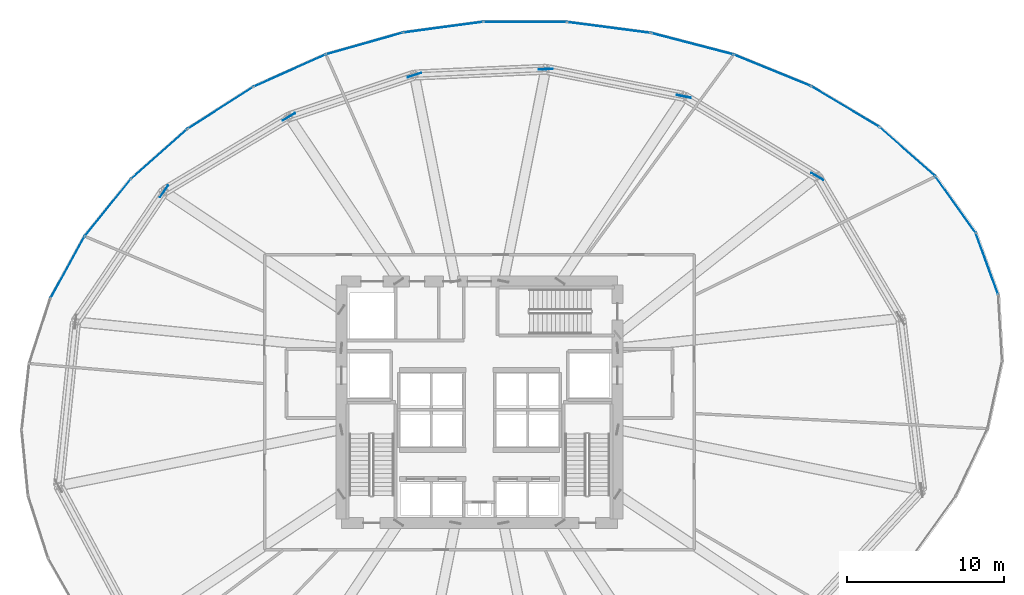
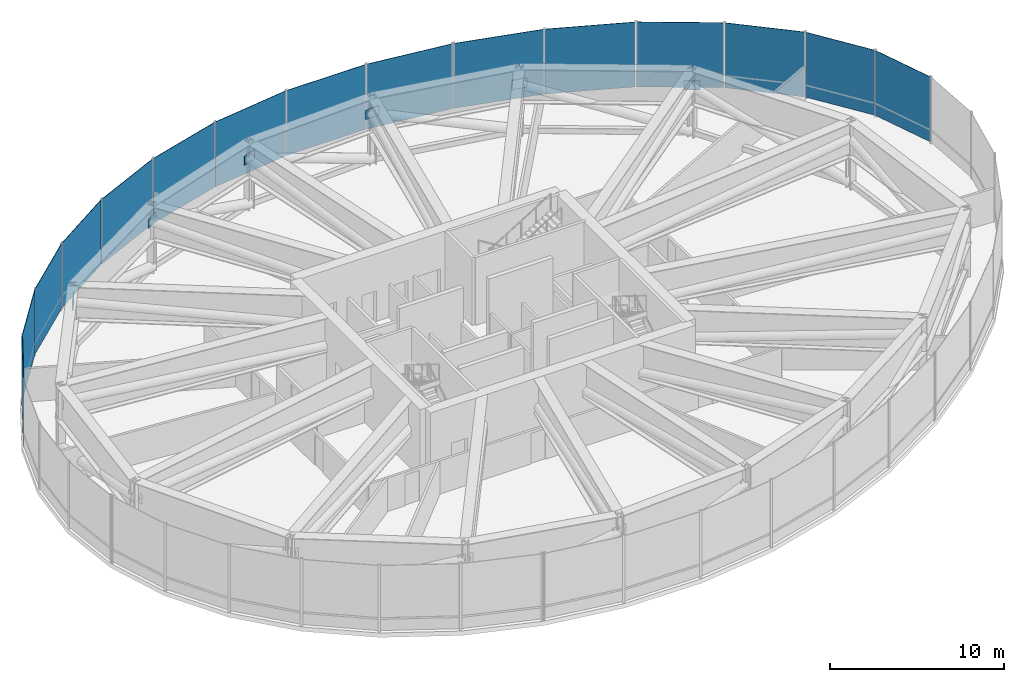
# One storey, part 29 of 33: 21 plates, 3 elements without a shape of their own.
"""IFC4 building model written with IfcOpenShell, lengths in metres."""

from ifc_helpers import new_model, si_unit, direction, frame, origin, origin_2d, place, context, subcontext, project, spatial, rectangle, extrude, source, transform, mapped, material, layer, layer_set, type_object, element, aggregate, save


model = new_model("IFC4")

# Units and contexts
model_context = context("Model", 3, precision=1e-05, world=origin(), true_north=direction((0.0, 1.0)))
body_context = subcontext(model_context, "Body", "Model", "MODEL_VIEW")
ifc_project = project(units=[si_unit("LENGTHUNIT", "METRE"), si_unit("AREAUNIT", "SQUARE_METRE"), si_unit("VOLUMEUNIT", "CUBIC_METRE"), si_unit("PLANEANGLEUNIT", "RADIAN"), si_unit("MASSUNIT", "GRAM", prefix="KILO"), si_unit("THERMODYNAMICTEMPERATUREUNIT", "KELVIN")], contexts=[model_context])

# Site, building, storey
site_placement = place(None, origin())
site = spatial("IfcSite", under=ifc_project, at=site_placement, CompositionType="ELEMENT")
building_placement = place(site_placement, origin())
building = spatial("IfcBuilding", under=site, at=building_placement, Name="Kethvar Cultural Tower", CompositionType="ELEMENT")
storey_placement = place(building_placement, frame((0.0, 0.0, 80.39990234375)))
storey = spatial("IfcBuildingStorey", under=building, at=storey_placement, Name="L19", CompositionType="ELEMENT", Elevation=80.39990234375)

# Plates
ifc_material_1 = material(Name="Steel S460M", Category="steel")
ifc_layer_1 = layer(ifc_material_1, 0.0400390625, Name="Steel S460M", Category="steel")
ifc_layer_set_1 = layer_set([ifc_layer_1], Name="Steel S460M (40 mm)")
plate_type_1 = type_object("IfcPlateType", Name="PL-GUSSET-900", PredefinedType="USERDEFINED", material=ifc_layer_set_1)
shared_shape_1 = source(origin(), body_context, "Body", "SweptSolid", [
    extrude(rectangle(XDim=0.89990234375, YDim=0.0400390625, at=origin_2d()), origin(), (0.0, 0.0, 1.0), 0.64990234375),
])
for number, where, z_axis, x_axis, name in (
    (1, (68.33642578125, 42.190185546875, 3.233154296875), (0.0, 0.0, 1.0), (-0.857654700694, 0.514226034326, 0.0), "L19 Belt-Truss Node Gusset Plate GP-02"),
    (2, (59.824951171875, 47.293212890625, 3.233154296875), (0.0, 0.0, 1.0), (-0.98117794575, 0.193105770949, 0.0), "L19 Belt-Truss Node Gusset Plate GP-03"),
    (3, (51.022216796875, 49.02587890625, 3.233154296875), (0.0, 0.0, 1.0), (-0.999024506376, -0.044159208108, 0.0), "L19 Belt-Truss Node Gusset Plate GP-04"),
    (4, (42.651611328125, 48.65576171875, 3.233154296875), (0.0, 0.0, 1.0), (-0.948768594019, -0.315971762985, 0.0), "L19 Belt-Truss Node Gusset Plate GP-05"),
    (5, (34.64599609375, 45.98974609375, 3.233154296875), (0.0, 0.0, 1.0), (-0.858815008826, -0.512285838781, 0.0), "L19 Belt-Truss Node Gusset Plate GP-06"),
    (6, (26.6845703125, 41.24072265625, 3.233154296875), (0.0, 0.0, 1.0), (-0.56103626866, -0.827791220809, 0.0), "L19 Belt-Truss Node Gusset Plate GP-07"),
):
    element("IfcPlate", number, at=place(storey_placement, frame(where, z_axis=z_axis, x_axis=x_axis)), inside=storey, type_object=plate_type_1, Name=name, ObjectType="GUSSET_PLATE", PredefinedType="USERDEFINED", context=body_context, shape_type="MappedRepresentation", body=[
        mapped(shared_shape_1, transform((0.0, 0.0, 0.0), scale=1.0)),
    ])

# Curtain wall, plates
ifc_material_2 = material(Name="Aluminium 6063-T6", Category="aluminium")
ifc_layer_2 = layer(ifc_material_2, 0.179931640625, Name="Aluminium 6063-T6", Category="aluminium")
ifc_layer_set_2 = layer_set([ifc_layer_2], Name="Aluminium 6063-T6 (180 mm)")
curtain_wall_type = type_object("IfcCurtainWallType", Name="CW-SYS-02-Z1", PredefinedType="NOTDEFINED", material=ifc_layer_set_2)
curtain_wall_1_placement = place(storey_placement, origin())
curtain_wall_1 = element("IfcCurtainWall", 7, at=curtain_wall_1_placement, inside=storey, type_object=curtain_wall_type, Name="L19 Curtain Wall Run 01", PredefinedType="NOTDEFINED")
ifc_material_3 = material(Name="Insulated Low-E Solar Glass", Category="glass")
ifc_layer_3 = layer(ifc_material_3, 0.031982421875, Name="Insulated Low-E Solar Glass", Category="glass")
ifc_layer_set_3 = layer_set([ifc_layer_3], Name="Insulated Low-E Solar Glass (32 mm)")
plate_type_2 = type_object("IfcPlateType", Name="CW-SYS-02-Z1-PNL", PredefinedType="CURTAIN_PANEL", material=ifc_layer_set_3)
shared_shape_2 = source(origin(), body_context, "Body", "SweptSolid", [
    extrude(rectangle(XDim=4.1494140625, YDim=0.031982421875, at=origin_2d()), origin(), (0.0, 0.0, 1.0), 4.56005859375),
])
plate_1_placement = place(storey_placement, frame((79.15087890625, 36.625732421875, 0.10009765625), z_axis=(0.0, 0.0, 1.0), x_axis=(-0.342200545053, 0.939626940315, 0.0)))
plate_1 = element("IfcPlate", 8, at=plate_1_placement, type_object=plate_type_2, Name="CW-L19-R01 Vision Glazing Panel 1", PredefinedType="CURTAIN_PANEL", context=body_context, shape_type="MappedRepresentation", body=[
    mapped(shared_shape_2, transform((0.0, 0.0, 0.0), scale=1.0)),
])
shared_shape_3 = source(origin(), body_context, "Body", "SweptSolid", [
    extrude(rectangle(XDim=4.357177734375, YDim=0.031982421875, at=origin_2d()), origin(), (0.0, 0.0, 1.0), 4.56005859375),
])
plate_2_placement = place(storey_placement, frame((77.146484375, 40.401123046875, 0.10009765625), z_axis=(0.0, 0.0, 1.0), x_axis=(-0.581299577483, 0.813689622165, 0.0)))
plate_2 = element("IfcPlate", 9, at=plate_2_placement, type_object=plate_type_2, Name="CW-L19-R01 Vision Glazing Panel 2", PredefinedType="CURTAIN_PANEL", context=body_context, shape_type="MappedRepresentation", body=[
    mapped(shared_shape_3, transform((0.0, 0.0, 0.0), scale=1.0)),
])
shared_shape_4 = source(origin(), body_context, "Body", "SweptSolid", [
    extrude(rectangle(XDim=4.682861328125, YDim=0.031982421875, at=origin_2d()), origin(), (0.0, 0.0, 1.0), 4.56005859375),
])
plate_3_placement = place(storey_placement, frame((74.07958984375, 43.77099609375, 0.10009765625), z_axis=(0.0, 0.0, 1.0), x_axis=(-0.750134153312, 0.661285681105, 0.0)))
plate_3 = element("IfcPlate", 10, at=plate_3_placement, type_object=plate_type_2, Name="CW-L19-R01 Vision Glazing Panel 3", PredefinedType="CURTAIN_PANEL", context=body_context, shape_type="MappedRepresentation", body=[
    mapped(shared_shape_4, transform((0.0, 0.0, 0.0), scale=1.0)),
])
shared_shape_5 = source(origin(), body_context, "Body", "SweptSolid", [
    extrude(rectangle(XDim=5.010986328125, YDim=0.031982421875, at=origin_2d()), origin(), (0.0, 0.0, 1.0), 4.56005859375),
])
plate_4_placement = place(storey_placement, frame((70.114990234375, 46.646484375, 0.10009765625), z_axis=(0.0, 0.0, 1.0), x_axis=(-0.858441120551, 0.512912119712, 0.0)))
plate_4 = element("IfcPlate", 11, at=plate_4_placement, type_object=plate_type_2, Name="CW-L19-R01 Vision Glazing Panel 4", PredefinedType="CURTAIN_PANEL", context=body_context, shape_type="MappedRepresentation", body=[
    mapped(shared_shape_5, transform((0.0, 0.0, 0.0), scale=1.0)),
])
shared_shape_6 = source(origin(), body_context, "Body", "SweptSolid", [
    extrude(rectangle(XDim=5.251953125, YDim=0.031982421875, at=origin_2d()), origin(), (0.0, 0.0, 1.0), 4.56005859375),
])
plate_5_placement = place(storey_placement, frame((65.46533203125, 48.95654296875, 0.10009765625), z_axis=(0.0, 0.0, 1.0), x_axis=(-0.925982651672, 0.377566058858, 0.0)))
plate_5 = element("IfcPlate", 12, at=plate_5_placement, type_object=plate_type_2, Name="CW-L19-R01 Vision Glazing Panel 5", PredefinedType="CURTAIN_PANEL", context=body_context, shape_type="MappedRepresentation", body=[
    mapped(shared_shape_6, transform((0.0, 0.0, 0.0), scale=1.0)),
])
shared_shape_7 = source(origin(), body_context, "Body", "SweptSolid", [
    extrude(rectangle(XDim=5.3623046875, YDim=0.031982421875, at=origin_2d()), origin(), (0.0, 0.0, 1.0), 4.56005859375),
])
plate_6_placement = place(storey_placement, frame((60.365478515625, 50.6484375, 0.10009765625), z_axis=(0.0, 0.0, 1.0), x_axis=(-0.967709170482, 0.252069358243, 0.0)))
plate_6 = element("IfcPlate", 13, at=plate_6_placement, type_object=plate_type_2, Name="CW-L19-R01 Vision Glazing Panel 6", PredefinedType="CURTAIN_PANEL", context=body_context, shape_type="MappedRepresentation", body=[
    mapped(shared_shape_7, transform((0.0, 0.0, 0.0), scale=1.0)),
])
aggregate(curtain_wall_1, [plate_1, plate_2, plate_3, plate_4, plate_5, plate_6])

curtain_wall_2_placement = place(storey_placement, origin())
curtain_wall_2 = element("IfcCurtainWall", 14, at=curtain_wall_2_placement, inside=storey, type_object=curtain_wall_type, Name="L19 Curtain Wall Run 02", PredefinedType="NOTDEFINED")
shared_shape_8 = source(origin(), body_context, "Body", "SweptSolid", [
    extrude(rectangle(XDim=5.3427734375, YDim=0.031982421875, at=origin_2d()), origin(), (0.0, 0.0, 1.0), 4.56005859375),
])
plate_7_placement = place(storey_placement, frame((55.045166015625, 51.6845703125, 0.10009765625), z_axis=(0.0, 0.0, 1.0), x_axis=(-0.991612614694, 0.1292455894, 0.0)))
plate_7 = element("IfcPlate", 15, at=plate_7_placement, type_object=plate_type_2, Name="CW-L19-R02 Vision Glazing Panel 1", PredefinedType="CURTAIN_PANEL", context=body_context, shape_type="MappedRepresentation", body=[
    mapped(shared_shape_8, transform((0.0, 0.0, 0.0), scale=1.0)),
])
shared_shape_9 = source(origin(), body_context, "Body", "SweptSolid", [
    extrude(rectangle(XDim=5.23095703125, YDim=0.031982421875, at=origin_2d()), origin(), (0.0, 0.0, 1.0), 4.56005859375),
])
plate_8_placement = place(storey_placement, frame((49.70263671875, 52.040283203125, 0.10009765625), z_axis=(0.0, 0.0, 1.0), x_axis=(-0.999997733038, 0.002129300078, 0.0)))
plate_8 = element("IfcPlate", 16, at=plate_8_placement, type_object=plate_type_2, Name="CW-L19-R02 Vision Glazing Panel 2", PredefinedType="CURTAIN_PANEL", context=body_context, shape_type="MappedRepresentation", body=[
    mapped(shared_shape_9, transform((0.0, 0.0, 0.0), scale=1.0)),
])
shared_shape_10 = source(origin(), body_context, "Body", "SweptSolid", [
    extrude(rectangle(XDim=5.09619140625, YDim=0.031982421875, at=origin_2d()), origin(), (0.0, 0.0, 1.0), 4.56005859375),
])
plate_9_placement = place(storey_placement, frame((44.48486328125, 51.7021484375, 0.10009765625), z_axis=(0.0, 0.0, 1.0), x_axis=(-0.99112064579, -0.132965655301, 0.0)))
plate_9 = element("IfcPlate", 17, at=plate_9_placement, type_object=plate_type_2, Name="CW-L19-R02 Vision Glazing Panel 3", PredefinedType="CURTAIN_PANEL", context=body_context, shape_type="MappedRepresentation", body=[
    mapped(shared_shape_10, transform((0.0, 0.0, 0.0), scale=1.0)),
])
shared_shape_11 = source(origin(), body_context, "Body", "SweptSolid", [
    extrude(rectangle(XDim=5.041015625, YDim=0.031982421875, at=origin_2d()), origin(), (0.0, 0.0, 1.0), 4.56005859375),
])
plate_10_placement = place(storey_placement, frame((39.459228515625, 50.661376953125, 0.10009765625), z_axis=(0.0, 0.0, 1.0), x_axis=(-0.96220373565, -0.272330628284, 0.0)))
plate_10 = element("IfcPlate", 18, at=plate_10_placement, type_object=plate_type_2, Name="CW-L19-R02 Vision Glazing Panel 4", PredefinedType="CURTAIN_PANEL", context=body_context, shape_type="MappedRepresentation", body=[
    mapped(shared_shape_11, transform((0.0, 0.0, 0.0), scale=1.0)),
])
shared_shape_12 = source(origin(), body_context, "Body", "SweptSolid", [
    extrude(rectangle(XDim=4.99072265625, YDim=0.031982421875, at=origin_2d()), origin(), (0.0, 0.0, 1.0), 4.56005859375),
])
plate_11_placement = place(storey_placement, frame((34.6845703125, 48.930419921875, 0.10009765625), z_axis=(0.0, 0.0, 1.0), x_axis=(-0.91291255423, -0.408155201276, 0.0)))
plate_11 = element("IfcPlate", 19, at=plate_11_placement, type_object=plate_type_2, Name="CW-L19-R02 Vision Glazing Panel 5", PredefinedType="CURTAIN_PANEL", context=body_context, shape_type="MappedRepresentation", body=[
    mapped(shared_shape_12, transform((0.0, 0.0, 0.0), scale=1.0)),
])
shared_shape_13 = source(origin(), body_context, "Body", "SweptSolid", [
    extrude(rectangle(XDim=4.89453125, YDim=0.031982421875, at=origin_2d()), origin(), (0.0, 0.0, 1.0), 4.56005859375),
])
plate_12_placement = place(storey_placement, frame((30.27880859375, 46.556884765625, 0.10009765625), z_axis=(0.0, 0.0, 1.0), x_axis=(-0.842264279204, -0.539064823539, 0.0)))
plate_12 = element("IfcPlate", 20, at=plate_12_placement, type_object=plate_type_2, Name="CW-L19-R02 Vision Glazing Panel 6", PredefinedType="CURTAIN_PANEL", context=body_context, shape_type="MappedRepresentation", body=[
    mapped(shared_shape_13, transform((0.0, 0.0, 0.0), scale=1.0)),
])
aggregate(curtain_wall_2, [plate_7, plate_8, plate_9, plate_10, plate_11, plate_12])

curtain_wall_3_placement = place(storey_placement, origin())
curtain_wall_3 = element("IfcCurtainWall", 21, at=curtain_wall_3_placement, inside=storey, type_object=curtain_wall_type, Name="L19 Curtain Wall Run 03", PredefinedType="NOTDEFINED")
shared_shape_14 = source(origin(), body_context, "Body", "SweptSolid", [
    extrude(rectangle(XDim=4.76220703125, YDim=0.031982421875, at=origin_2d()), origin(), (0.0, 0.0, 1.0), 4.56005859375),
])
plate_13_placement = place(storey_placement, frame((26.3759765625, 43.61328125, 0.10009765625), z_axis=(0.0, 0.0, 1.0), x_axis=(-0.748319306233, -0.663338688694, 0.0)))
plate_13 = element("IfcPlate", 22, at=plate_13_placement, type_object=plate_type_2, Name="CW-L19-R03 Vision Glazing Panel 1", PredefinedType="CURTAIN_PANEL", context=body_context, shape_type="MappedRepresentation", body=[
    mapped(shared_shape_14, transform((0.0, 0.0, 0.0), scale=1.0)),
])
shared_shape_15 = source(origin(), body_context, "Body", "SweptSolid", [
    extrude(rectangle(XDim=4.607177734375, YDim=0.031982421875, at=origin_2d()), origin(), (0.0, 0.0, 1.0), 4.56005859375),
])
plate_14_placement = place(storey_placement, frame((23.09521484375, 40.189208984375, 0.10009765625), z_axis=(0.0, 0.0, 1.0), x_axis=(-0.628709828004, -0.777639988794, 0.0)))
plate_14 = element("IfcPlate", 23, at=plate_14_placement, type_object=plate_type_2, Name="CW-L19-R03 Vision Glazing Panel 2", PredefinedType="CURTAIN_PANEL", context=body_context, shape_type="MappedRepresentation", body=[
    mapped(shared_shape_15, transform((0.0, 0.0, 0.0), scale=1.0)),
])
shared_shape_16 = source(origin(), body_context, "Body", "SweptSolid", [
    extrude(rectangle(XDim=4.44677734375, YDim=0.031982421875, at=origin_2d()), origin(), (0.0, 0.0, 1.0), 4.56005859375),
])
plate_15_placement = place(storey_placement, frame((20.53564453125, 36.389892578125, 0.10009765625), z_axis=(0.0, 0.0, 1.0), x_axis=(-0.481799556752, -0.876281454279, 0.0)))
plate_15 = element("IfcPlate", 24, at=plate_15_placement, type_object=plate_type_2, Name="CW-L19-R03 Vision Glazing Panel 3", PredefinedType="CURTAIN_PANEL", context=body_context, shape_type="MappedRepresentation", body=[
    mapped(shared_shape_16, transform((0.0, 0.0, 0.0), scale=1.0)),
])
aggregate(curtain_wall_3, [plate_13, plate_14, plate_15])

save(model, "model.ifc")
